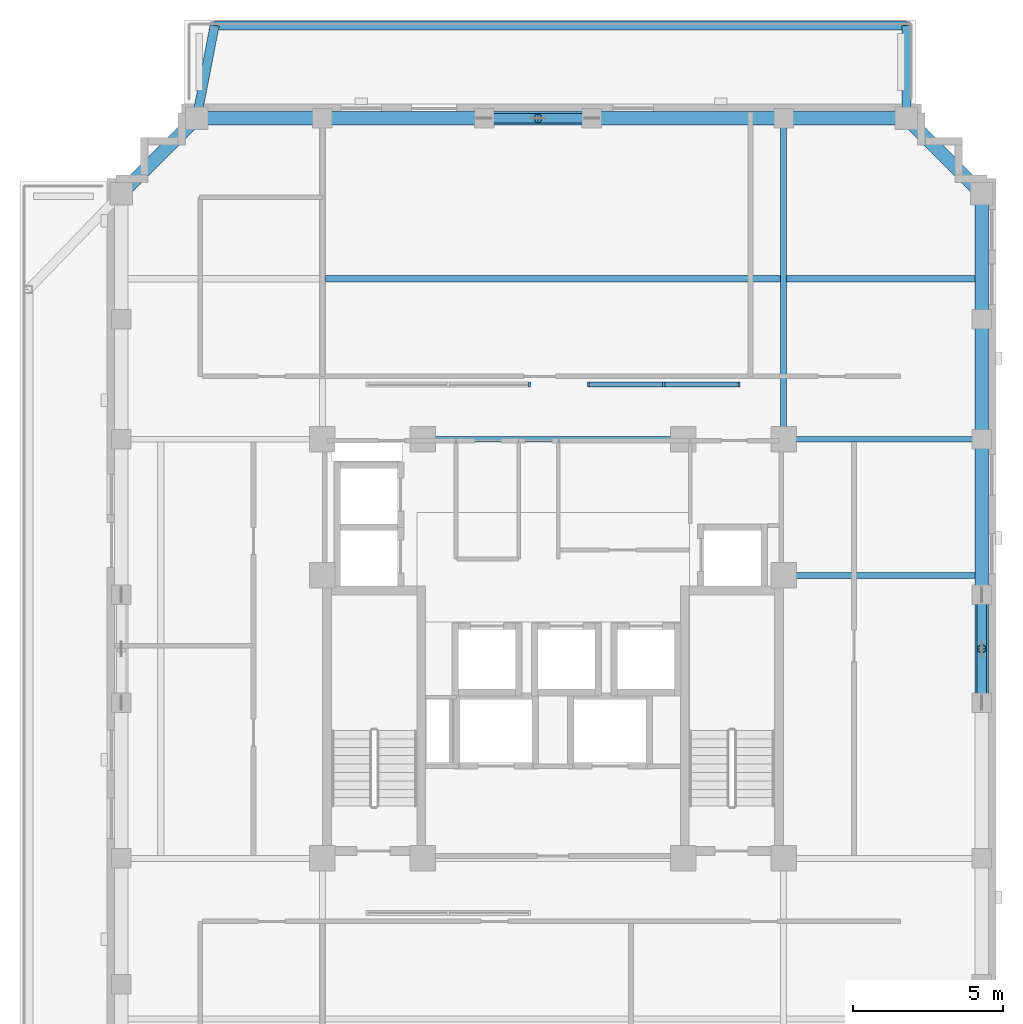
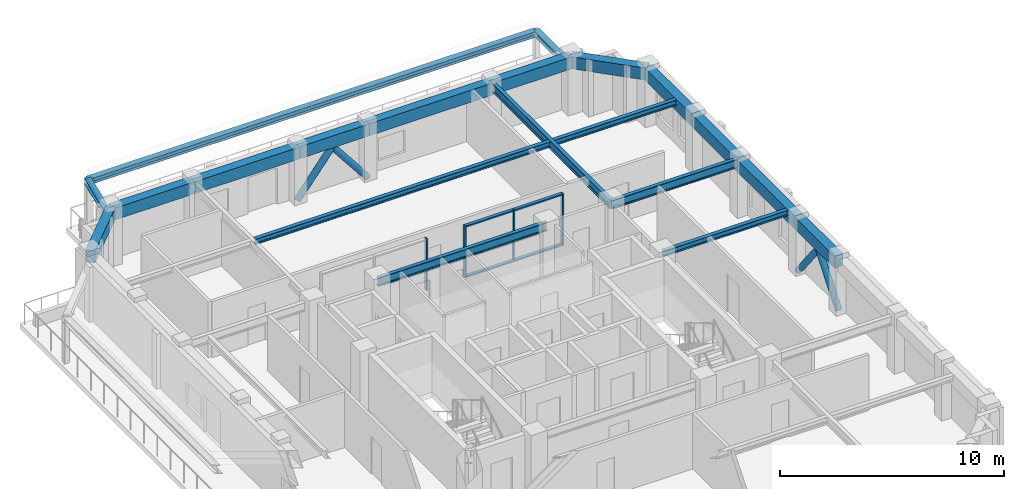
# One storey, part 6 of 14: 20 beams, 12 members, 2 elements without a shape of their own.
"""IFC4 building model written with IfcOpenShell, lengths in metres."""

from ifc_helpers import new_model, si_unit, derived_unit, direction, frame, origin, origin_2d, place, context, subcontext, project, spatial, rectangle, hollow_circle, i_section, extrude, material, material_profile, profile_set, type_object, element, aggregate, save


model = new_model("IFC4")

# Units and contexts
model_context = context("Model", 3, precision=1e-05, world=origin(), true_north=direction((0.0, 1.0)))
body_context = subcontext(model_context, "Body", "Model", "MODEL_VIEW")
ifc_project = project(units=[si_unit("LENGTHUNIT", "METRE"), si_unit("AREAUNIT", "SQUARE_METRE"), si_unit("VOLUMEUNIT", "CUBIC_METRE"), si_unit("PLANEANGLEUNIT", "RADIAN"), si_unit("MASSUNIT", "GRAM", prefix="KILO"), derived_unit("THERMALTRANSMITTANCEUNIT", [(si_unit("MASSUNIT", "GRAM", prefix="KILO"), 1), (si_unit("TIMEUNIT", "SECOND"), -3), (si_unit("THERMODYNAMICTEMPERATUREUNIT", "KELVIN"), -1)])], contexts=[model_context])

# Site, building, storey
site_placement = place(None, origin())
site = spatial("IfcSite", under=ifc_project, at=site_placement, CompositionType="ELEMENT")
building_placement = place(site_placement, origin())
building = spatial("IfcBuilding", under=site, at=building_placement, Name="Korrvale Station Residences", CompositionType="ELEMENT")
storey_placement = place(building_placement, frame((0.0, 0.0, 174.39990234375)))
storey = spatial("IfcBuildingStorey", under=building, at=storey_placement, Name="L50", CompositionType="ELEMENT", Elevation=174.39990234375)

# Beams
ifc_material_1 = material(Name="Steel S355", Category="steel")
ifc_material_profile_1 = material_profile(ifc_material_1, i_section(OverallWidth=0.194091796875, OverallDepth=0.468994140625, WebThickness=0.0126953125, FlangeThickness=0.0205078125, FilletRadius=0.01611328125, at=origin_2d()), Name="W460x106")
ifc_profile_set_1 = profile_set([ifc_material_profile_1], Name="Steel S355")
beam_type_1 = type_object("IfcBeamType", Name="BM-BM-W460x106-S355", PredefinedType="BEAM", material=ifc_profile_set_1)
beam_1_placement = place(storey_placement, frame((33.199951171875, 29.0, 2.8056640625), z_axis=(0.0, 1.0, 0.0), x_axis=(-1.0, 0.0, 0.0)))
element("IfcBeam", 1, at=beam_1_placement, inside=storey, type_object=beam_type_1, Name="L50 Bundled-Tube Web Girder 04", PredefinedType="BEAM", context=body_context, shape_type="SweptSolid", body=[
    extrude(i_section(OverallWidth=0.194091796875, OverallDepth=0.468994140625, WebThickness=0.0126953125, FlangeThickness=0.0205078125, FilletRadius=0.01611328125, at=origin_2d()), origin(), (0.0, 0.0, 1.0), 10.719970703125),
])
beam_2_placement = place(storey_placement, frame((33.199951171875, 29.0, 2.8056640625), z_axis=(1.0, 0.0, 0.0), x_axis=(0.0, 1.0, 0.0)))
element("IfcBeam", 2, at=beam_2_placement, inside=storey, type_object=beam_type_1, Name="L50 Bundled-Tube Web Girder 08", PredefinedType="BEAM", context=body_context, shape_type="SweptSolid", body=[
    extrude(i_section(OverallWidth=0.194091796875, OverallDepth=0.468994140625, WebThickness=0.0126953125, FlangeThickness=0.0205078125, FilletRadius=0.01611328125, at=origin_2d()), origin(), (0.0, 0.0, 1.0), 6.6201171875),
])
beam_3_placement = place(storey_placement, frame((21.14990234375, 29.0, 2.8056640625), z_axis=(1.0, 0.0, 0.0), x_axis=(0.0, 1.0, 0.0)))
element("IfcBeam", 3, at=beam_3_placement, inside=storey, type_object=beam_type_1, Name="L50 Bundled-Tube Web Girder 10", PredefinedType="BEAM", context=body_context, shape_type="SweptSolid", body=[
    extrude(i_section(OverallWidth=0.194091796875, OverallDepth=0.468994140625, WebThickness=0.0126953125, FlangeThickness=0.0205078125, FilletRadius=0.01611328125, at=origin_2d()), origin(), (0.0, 0.0, 1.0), 8.7001953125),
])
ifc_material_profile_2 = material_profile(ifc_material_1, i_section(OverallWidth=0.202880859375, OverallDepth=0.302978515625, WebThickness=0.007568359375, FlangeThickness=0.01318359375, FilletRadius=0.014892578125, at=origin_2d()), Name="W310x60")
ifc_profile_set_2 = profile_set([ifc_material_profile_2], Name="Steel S355")
beam_type_2 = type_object("IfcBeamType", Name="BM-JST-W310x60-S355", PredefinedType="JOIST", material=ifc_profile_set_2)
beam_4_placement = place(storey_placement, frame((17.89697265625, 34.360107421875, 2.888671875), z_axis=(1.0, 0.0, 0.0), x_axis=(0.0, 1.0, 0.0)))
element("IfcBeam", 4, at=beam_4_placement, inside=storey, type_object=beam_type_2, Name="L50 Floor Framing Joist 05", PredefinedType="JOIST", context=body_context, shape_type="SweptSolid", body=[
    extrude(i_section(OverallWidth=0.202880859375, OverallDepth=0.302978515625, WebThickness=0.007568359375, FlangeThickness=0.01318359375, FilletRadius=0.014892578125, at=origin_2d()), origin(), (0.0, 0.0, 1.0), 15.2060546875),
])
beam_5_placement = place(storey_placement, frame((33.297119140625, 34.360107421875, 2.888671875), z_axis=(1.0, 0.0, 0.0), x_axis=(0.0, 1.0, 0.0)))
element("IfcBeam", 5, at=beam_5_placement, inside=storey, type_object=beam_type_2, Name="L50 Floor Framing Joist 06", PredefinedType="JOIST", context=body_context, shape_type="SweptSolid", body=[
    extrude(i_section(OverallWidth=0.202880859375, OverallDepth=0.302978515625, WebThickness=0.007568359375, FlangeThickness=0.01318359375, FilletRadius=0.014892578125, at=origin_2d()), origin(), (0.0, 0.0, 1.0), 6.2978515625),
])
beam_6_placement = place(storey_placement, frame((33.199951171875, 24.449951171875, 2.888671875), z_axis=(1.0, 0.0, 0.0), x_axis=(0.0, 1.0, 0.0)))
element("IfcBeam", 6, at=beam_6_placement, inside=storey, type_object=beam_type_2, Name="L50 Floor Framing Joist 07", PredefinedType="JOIST", context=body_context, shape_type="SweptSolid", body=[
    extrude(i_section(OverallWidth=0.202880859375, OverallDepth=0.302978515625, WebThickness=0.007568359375, FlangeThickness=0.01318359375, FilletRadius=0.014892578125, at=origin_2d()), origin(), (0.0, 0.0, 1.0), 6.39501953125),
])
ifc_material_2 = material(Name="Concrete C50/60", Category="concrete")
ifc_material_profile_3 = material_profile(ifc_material_2, rectangle(XDim=0.449951171875, YDim=0.64990234375, at=origin_2d()), Name="RCB450x650")
ifc_profile_set_3 = profile_set([ifc_material_profile_3], Name="Concrete C50/60")
beam_type_3 = type_object("IfcBeamType", Name="BM-SPB-RCB450x650-C5060", PredefinedType="SPANDREL", material=ifc_profile_set_3)
beam_7_placement = place(storey_placement, frame((13.60009765625, 39.719970703125, 2.715087890625), z_axis=(1.0, 0.0, 0.0), x_axis=(0.0, 1.0, 0.0)))
element("IfcBeam", 7, at=beam_7_placement, inside=storey, type_object=beam_type_3, Name="L50 North Tube Spandrel 06", PredefinedType="SPANDREL", context=body_context, shape_type="SweptSolid", body=[
    extrude(rectangle(XDim=0.449951171875, YDim=0.64990234375, at=origin_2d()), origin(), (0.0, 0.0, 1.0), 4.199951171875),
])
beam_8_placement = place(storey_placement, frame((17.800048828125, 39.719970703125, 2.715087890625), z_axis=(1.0, 0.0, 0.0), x_axis=(0.0, 1.0, 0.0)))
element("IfcBeam", 8, at=beam_8_placement, inside=storey, type_object=beam_type_3, Name="L50 North Tube Spandrel 07", PredefinedType="SPANDREL", context=body_context, shape_type="SweptSolid", body=[
    extrude(rectangle(XDim=0.449951171875, YDim=0.64990234375, at=origin_2d()), origin(), (0.0, 0.0, 1.0), 5.39990234375),
])
beam_9_placement = place(storey_placement, frame((23.199951171875, 39.719970703125, 2.715087890625), z_axis=(1.0, 0.0, 0.0), x_axis=(0.0, 1.0, 0.0)))
element("IfcBeam", 9, at=beam_9_placement, inside=storey, type_object=beam_type_3, Name="L50 North Tube Spandrel 08", PredefinedType="SPANDREL", context=body_context, shape_type="SweptSolid", body=[
    extrude(rectangle(XDim=0.449951171875, YDim=0.64990234375, at=origin_2d()), origin(), (0.0, 0.0, 1.0), 3.60009765625),
])
beam_10_placement = place(storey_placement, frame((26.800048828125, 39.719970703125, 2.715087890625), z_axis=(1.0, 0.0, 0.0), x_axis=(0.0, 1.0, 0.0)))
element("IfcBeam", 10, at=beam_10_placement, inside=storey, type_object=beam_type_3, Name="L50 North Tube Spandrel 09", PredefinedType="SPANDREL", context=body_context, shape_type="SweptSolid", body=[
    extrude(rectangle(XDim=0.449951171875, YDim=0.64990234375, at=origin_2d()), origin(), (0.0, 0.0, 1.0), 6.39990234375),
])
beam_11_placement = place(storey_placement, frame((33.199951171875, 39.719970703125, 2.715087890625), z_axis=(1.0, 0.0, 0.0), x_axis=(0.0, 1.0, 0.0)))
element("IfcBeam", 11, at=beam_11_placement, inside=storey, type_object=beam_type_3, Name="L50 North Tube Spandrel 10", PredefinedType="SPANDREL", context=body_context, shape_type="SweptSolid", body=[
    extrude(rectangle(XDim=0.449951171875, YDim=0.64990234375, at=origin_2d()), origin(), (0.0, 0.0, 1.0), 4.10009765625),
])
beam_12_placement = place(storey_placement, frame((39.820068359375, 20.199951171875, 2.715087890625), z_axis=(0.0, 1.0, 0.0), x_axis=(-1.0, 0.0, 0.0)))
element("IfcBeam", 12, at=beam_12_placement, inside=storey, type_object=beam_type_3, Name="L50 East Tube Spandrel 21", PredefinedType="SPANDREL", context=body_context, shape_type="SweptSolid", body=[
    extrude(rectangle(XDim=0.449951171875, YDim=0.64990234375, at=origin_2d()), origin(), (0.0, 0.0, 1.0), 3.60009765625),
])
beam_13_placement = place(storey_placement, frame((39.820068359375, 23.800048828125, 2.715087890625), z_axis=(0.0, 1.0, 0.0), x_axis=(-1.0, 0.0, 0.0)))
element("IfcBeam", 13, at=beam_13_placement, inside=storey, type_object=beam_type_3, Name="L50 East Tube Spandrel 22", PredefinedType="SPANDREL", context=body_context, shape_type="SweptSolid", body=[
    extrude(rectangle(XDim=0.449951171875, YDim=0.64990234375, at=origin_2d()), origin(), (0.0, 0.0, 1.0), 5.199951171875),
])
beam_14_placement = place(storey_placement, frame((39.820068359375, 29.0, 2.715087890625), z_axis=(0.0, 1.0, 0.0), x_axis=(-1.0, 0.0, 0.0)))
element("IfcBeam", 14, at=beam_14_placement, inside=storey, type_object=beam_type_3, Name="L50 East Tube Spandrel 23", PredefinedType="SPANDREL", context=body_context, shape_type="SweptSolid", body=[
    extrude(rectangle(XDim=0.449951171875, YDim=0.64990234375, at=origin_2d()), origin(), (0.0, 0.0, 1.0), 4.0),
])
beam_15_placement = place(storey_placement, frame((39.820068359375, 33.0, 2.715087890625), z_axis=(0.0, 1.0, 0.0), x_axis=(-1.0, 0.0, 0.0)))
element("IfcBeam", 15, at=beam_15_placement, inside=storey, type_object=beam_type_3, Name="L50 East Tube Spandrel 24", PredefinedType="SPANDREL", context=body_context, shape_type="SweptSolid", body=[
    extrude(rectangle(XDim=0.449951171875, YDim=0.64990234375, at=origin_2d()), origin(), (0.0, 0.0, 1.0), 4.199951171875),
])
for number, where, z_axis, x_axis, name in (
    (16, (37.300048828125, 39.719970703125, 2.715087890625), (0.707106781187, -0.707106781187, 0.0), (0.707106781187, 0.707106781187, 0.0), "L50 Serrated Corner Spandrel 27"),
    (17, (13.60009765625, 39.719970703125, 2.715087890625), (-0.707106781187, -0.707106781187, 0.0), (0.707106781187, -0.707106781187, 0.0), "L50 Serrated Corner Spandrel 28"),
):
    element("IfcBeam", number, at=place(storey_placement, frame(where, z_axis=z_axis, x_axis=x_axis)), inside=storey, type_object=beam_type_3, Name=name, PredefinedType="SPANDREL", context=body_context, shape_type="SweptSolid", body=[
        extrude(rectangle(XDim=0.449951171875, YDim=0.64990234375, at=origin_2d()), origin(), (0.0, 0.0, 1.0), 3.56396484375),
    ])
ifc_material_profile_4 = material_profile(ifc_material_1, i_section(OverallWidth=0.304931640625, OverallDepth=0.30810546875, WebThickness=0.010009765625, FlangeThickness=0.015380859375, FilletRadius=0.014892578125, at=origin_2d()), Name="W310x97")
ifc_profile_set_4 = profile_set([ifc_material_profile_4], Name="Steel S355")
beam_type_4 = type_object("IfcBeamType", Name="BM-SPB-W310x97-S355", PredefinedType="SPANDREL", material=ifc_profile_set_4)
beam_16_placement = place(storey_placement, frame((14.199951171875, 42.820068359375, 2.34619140625), z_axis=(1.0, 0.0, 0.0), x_axis=(0.0, 1.0, 0.0)))
element("IfcBeam", 18, at=beam_16_placement, inside=storey, type_object=beam_type_4, Name="L50 Setback Canopy Edge Beam 1", PredefinedType="SPANDREL", context=body_context, shape_type="SweptSolid", body=[
    extrude(i_section(OverallWidth=0.304931640625, OverallDepth=0.30810546875, WebThickness=0.010009765625, FlangeThickness=0.015380859375, FilletRadius=0.014892578125, at=origin_2d()), origin(), (0.0, 0.0, 1.0), 23.10009765625),
])
beam_17_placement = place(storey_placement, frame((14.199951171875, 42.820068359375, 2.34619140625), z_axis=(-0.189971420549, -0.981789620731, 0.0), x_axis=(0.981789620731, -0.189971420549, 0.0)))
element("IfcBeam", 19, at=beam_17_placement, inside=storey, type_object=beam_type_4, Name="L50 Setback Canopy Edge Beam 2", PredefinedType="SPANDREL", context=body_context, shape_type="SweptSolid", body=[
    extrude(i_section(OverallWidth=0.304931640625, OverallDepth=0.30810546875, WebThickness=0.010009765625, FlangeThickness=0.015380859375, FilletRadius=0.014892578125, at=origin_2d()), origin(), (0.0, 0.0, 1.0), 3.15771484375),
])
beam_18_placement = place(storey_placement, frame((37.300048828125, 42.820068359375, 2.34619140625), z_axis=(0.0, -1.0, 0.0), x_axis=(1.0, 0.0, 0.0)))
element("IfcBeam", 20, at=beam_18_placement, inside=storey, type_object=beam_type_4, Name="L50 Setback Canopy Edge Beam 3", PredefinedType="SPANDREL", context=body_context, shape_type="SweptSolid", body=[
    extrude(i_section(OverallWidth=0.304931640625, OverallDepth=0.30810546875, WebThickness=0.010009765625, FlangeThickness=0.015380859375, FilletRadius=0.014892578125, at=origin_2d()), origin(), (0.0, 0.0, 1.0), 3.10009765625),
])

# Curtain wall, member
ifc_material_3 = material(Name="Unitised thermally broken aluminium curtain wall with triple low-e IGU", Category="aluminium")
curtain_wall_type = type_object("IfcCurtainWallType", Name="CW-SKY-L35", PredefinedType="NOTDEFINED", material=ifc_material_3)
curtain_wall_1_placement = place(storey_placement, origin())
curtain_wall_1 = element("IfcCurtainWall", 21, at=curtain_wall_1_placement, inside=storey, type_object=curtain_wall_type, Name="L50 Curtain Wall CW4-RUN-4", PredefinedType="NOTDEFINED")
ifc_material_4 = material(Name="Extruded thermally broken aluminium mullion", Category="aluminium")
member_type_1 = type_object("IfcMemberType", Name="CW-SKY-L35-M", PredefinedType="MULLION", material=ifc_material_4)
member_1_placement = place(storey_placement, frame((24.71240234375, 30.820068359375, 0.0), z_axis=(0.0, 0.0, 1.0), x_axis=(1.0, 0.0, 0.0)))
member_1 = element("IfcMember", 22, at=member_1_placement, type_object=member_type_1, Name="CW-SKY-L35 Mullion 3", PredefinedType="MULLION", context=body_context, shape_type="SweptSolid", body=[
    extrude(rectangle(XDim=0.074951171875, YDim=0.1650390625, at=origin_2d()), origin(), (0.0, 0.0, 1.0), 2.820068359375),
])
aggregate(curtain_wall_1, [member_1])

# Curtain wall, members
curtain_wall_2_placement = place(storey_placement, origin())
curtain_wall_2 = element("IfcCurtainWall", 23, at=curtain_wall_2_placement, inside=storey, type_object=curtain_wall_type, Name="L50 Curtain Wall CW4-RUN-5", PredefinedType="NOTDEFINED")
member_2_placement = place(storey_placement, frame((26.6875, 30.820068359375, 0.0), z_axis=(0.0, 0.0, 1.0), x_axis=(1.0, 0.0, 0.0)))
member_2 = element("IfcMember", 24, at=member_2_placement, type_object=member_type_1, Name="CW-SKY-L35 Mullion 1", PredefinedType="MULLION", context=body_context, shape_type="SweptSolid", body=[
    extrude(rectangle(XDim=0.074951171875, YDim=0.1650390625, at=origin_2d()), origin(), (0.0, 0.0, 1.0), 2.820068359375),
])
member_3_placement = place(storey_placement, frame((29.199951171875, 30.820068359375, 0.0), z_axis=(0.0, 0.0, 1.0), x_axis=(1.0, 0.0, 0.0)))
member_3 = element("IfcMember", 25, at=member_3_placement, type_object=member_type_1, Name="CW-SKY-L35 Mullion 2", PredefinedType="MULLION", context=body_context, shape_type="SweptSolid", body=[
    extrude(rectangle(XDim=0.074951171875, YDim=0.1650390625, at=origin_2d()), origin(), (0.0, 0.0, 1.0), 2.820068359375),
])
member_4_placement = place(storey_placement, frame((31.71240234375, 30.820068359375, 0.0), z_axis=(0.0, 0.0, 1.0), x_axis=(1.0, 0.0, 0.0)))
member_4 = element("IfcMember", 26, at=member_4_placement, type_object=member_type_1, Name="CW-SKY-L35 Mullion 3", PredefinedType="MULLION", context=body_context, shape_type="SweptSolid", body=[
    extrude(rectangle(XDim=0.074951171875, YDim=0.1650390625, at=origin_2d()), origin(), (0.0, 0.0, 1.0), 2.820068359375),
])
ifc_material_5 = material(Name="Extruded thermally broken aluminium transom", Category="aluminium")
member_type_2 = type_object("IfcMemberType", Name="CW-SKY-L35-T", PredefinedType="USERDEFINED", material=ifc_material_5)
member_5_placement = place(storey_placement, frame((27.925048828125, 30.820068359375, 0.0), z_axis=(0.0, 0.0, 1.0), x_axis=(1.0, 0.0, 0.0)))
member_5 = element("IfcMember", 27, at=member_5_placement, type_object=member_type_2, Name="CW-SKY-L35 Transom 1-1", ObjectType="TRANSOM", PredefinedType="USERDEFINED", context=body_context, shape_type="SweptSolid", body=[
    extrude(rectangle(XDim=2.47509765625, YDim=0.1650390625, at=origin_2d()), origin(), (0.0, 0.0, 1.0), 0.074951171875),
])
member_6_placement = place(storey_placement, frame((27.925048828125, 30.820068359375, 2.7451171875), z_axis=(0.0, 0.0, 1.0), x_axis=(1.0, 0.0, 0.0)))
member_6 = element("IfcMember", 28, at=member_6_placement, type_object=member_type_2, Name="CW-SKY-L35 Transom 1-2", ObjectType="TRANSOM", PredefinedType="USERDEFINED", context=body_context, shape_type="SweptSolid", body=[
    extrude(rectangle(XDim=2.47509765625, YDim=0.1650390625, at=origin_2d()), origin(), (0.0, 0.0, 1.0), 0.074951171875),
])
member_7_placement = place(storey_placement, frame((30.47509765625, 30.820068359375, 0.0), z_axis=(0.0, 0.0, 1.0), x_axis=(1.0, 0.0, 0.0)))
member_7 = element("IfcMember", 29, at=member_7_placement, type_object=member_type_2, Name="CW-SKY-L35 Transom 2-1", ObjectType="TRANSOM", PredefinedType="USERDEFINED", context=body_context, shape_type="SweptSolid", body=[
    extrude(rectangle(XDim=2.47509765625, YDim=0.1650390625, at=origin_2d()), origin(), (0.0, 0.0, 1.0), 0.074951171875),
])
member_8_placement = place(storey_placement, frame((30.47509765625, 30.820068359375, 2.7451171875), z_axis=(0.0, 0.0, 1.0), x_axis=(1.0, 0.0, 0.0)))
member_8 = element("IfcMember", 30, at=member_8_placement, type_object=member_type_2, Name="CW-SKY-L35 Transom 2-2", ObjectType="TRANSOM", PredefinedType="USERDEFINED", context=body_context, shape_type="SweptSolid", body=[
    extrude(rectangle(XDim=2.47509765625, YDim=0.1650390625, at=origin_2d()), origin(), (0.0, 0.0, 1.0), 0.074951171875),
])
aggregate(curtain_wall_2, [member_2, member_3, member_4, member_5, member_6, member_7, member_8])

# Members
ifc_material_profile_5 = material_profile(ifc_material_1, hollow_circle(Radius=0.161865234375, WallThickness=0.015869140625, at=origin_2d()), Name="HSS324x16")
ifc_profile_set_5 = profile_set([ifc_material_profile_5], Name="Steel S355")
member_type_3 = type_object("IfcMemberType", Name="MBR-BR-HSS324x16", PredefinedType="BRACE", material=ifc_profile_set_5)
for number, where, z_axis, x_axis, name in (
    (31, (23.199951171875, 39.719970703125, 0.02001953125), (0.617977009695, 0.0, 0.786196168579), (0.0, 1.0, 0.0), "L50 N Perimeter Tube Wind Brace 1"),
    (32, (26.800048828125, 39.719970703125, 0.02001953125), (-0.617977009695, 0.0, 0.786196168579), (0.0, -1.0, 0.0), "L50 N Perimeter Tube Wind Brace 2"),
    (33, (39.820068359375, 20.199951171875, 0.02001953125), (0.0, 0.617977009695, 0.786196168579), (-1.0, 0.0, 0.0), "L50 E Perimeter Tube Wind Brace 1"),
    (34, (39.820068359375, 23.800048828125, 0.02001953125), (0.0, -0.617977009695, 0.786196168579), (1.0, 0.0, 0.0), "L50 E Perimeter Tube Wind Brace 2"),
):
    element("IfcMember", number, at=place(storey_placement, frame(where, z_axis=z_axis, x_axis=x_axis)), inside=storey, type_object=member_type_3, Name=name, PredefinedType="BRACE", context=body_context, shape_type="SweptSolid", body=[
        extrude(hollow_circle(Radius=0.161865234375, WallThickness=0.015869140625, at=origin_2d()), origin(), (0.0, 0.0, 1.0), 2.912841796875),
    ])

save(model, "model.ifc")
